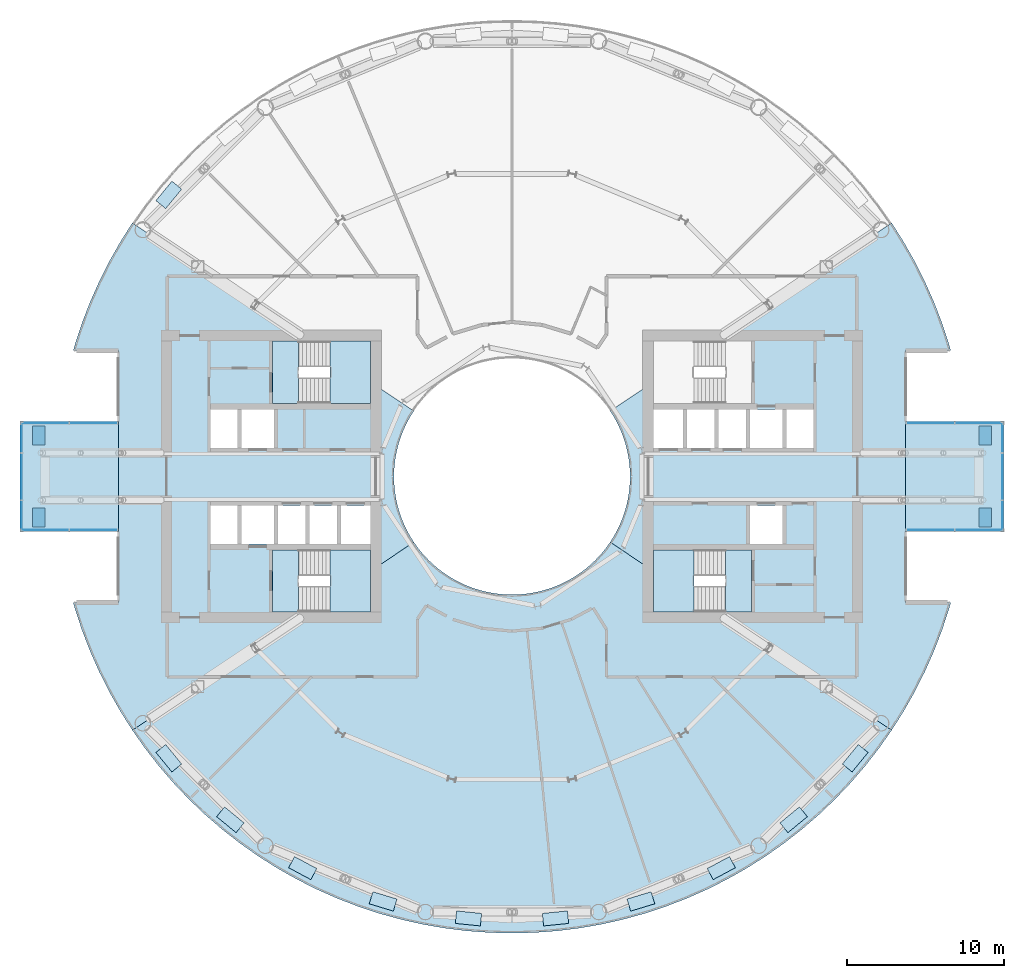
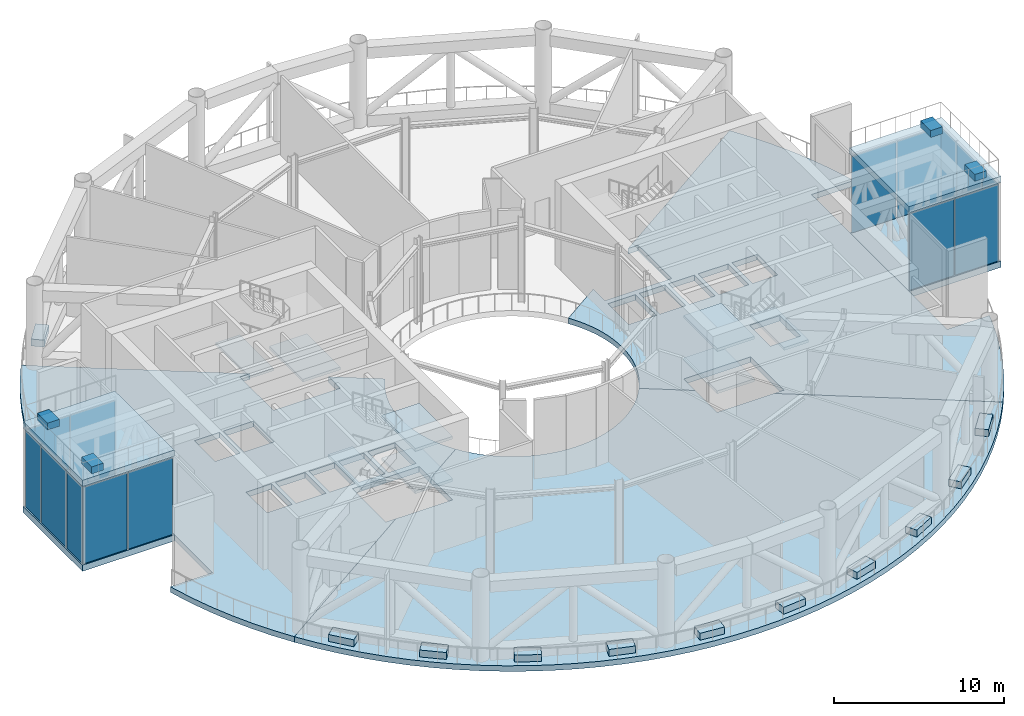
# One storey, part 10 of 23: 30 slabs, 14 plates, 9 elements without a shape of their own.
"""IFC4 building model written with IfcOpenShell, lengths in metres."""

from ifc_helpers import new_model, si_unit, direction, frame, origin, origin_2d, place, context, subcontext, project, spatial, polyline, rectangle, outline, extrude, material, layer, layer_set, type_object, element, aggregate, save


model = new_model("IFC4")

# Units and contexts
model_context = context("Model", 3, precision=1e-05, world=origin(), true_north=direction((0.0, 1.0)))
body_context = subcontext(model_context, "Body", "Model", "MODEL_VIEW")
ifc_project = project(units=[si_unit("LENGTHUNIT", "METRE"), si_unit("AREAUNIT", "SQUARE_METRE"), si_unit("VOLUMEUNIT", "CUBIC_METRE"), si_unit("PLANEANGLEUNIT", "RADIAN"), si_unit("MASSUNIT", "GRAM", prefix="KILO")], contexts=[model_context])

# Site, building, storey
site_placement = place(None, origin())
site = spatial("IfcSite", under=ifc_project, at=site_placement, CompositionType="ELEMENT")
building_placement = place(site_placement, origin())
building = spatial("IfcBuilding", under=site, at=building_placement, Name="Maasbend Ring Residences", CompositionType="ELEMENT")
storey_placement = place(building_placement, frame((0.0, 0.0, 97.14990234375)))
storey = spatial("IfcBuildingStorey", under=building, at=storey_placement, Name="L28", CompositionType="ELEMENT", Elevation=97.14990234375)

# Stair, slabs
ifc_material_1 = material(Name="Concrete C40/50", Category="concrete")
stair_type = type_object("IfcStairType", Name="CORE STAIR 36 RISERS", PredefinedType="HALF_TURN_STAIR", material=ifc_material_1)
stair_1_placement = place(storey_placement, origin())
stair_1 = element("IfcStair", 1, at=stair_1_placement, inside=storey, type_object=stair_type, Name="L28 Exit stair ST-E2", PredefinedType="HALF_TURN_STAIR")
ifc_material_2 = material(Name="Concrete C40/50", Category="concrete")
ifc_layer_1 = layer(ifc_material_2, 0.199951171875)
ifc_layer_set_1 = layer_set([ifc_layer_1], Name="Concrete C40/50")
slab_type_1 = type_object("IfcSlabType", Name="CORE STAIR LANDING 200", PredefinedType="LANDING", material=ifc_layer_set_1)
slab_1_placement = place(storey_placement, frame((0.0, 0.0, 1.3251953125)))
slab_1 = element("IfcSlab", 2, at=slab_1_placement, type_object=slab_type_1, Name="ST-E2 landing 1", PredefinedType="LANDING", context=body_context, shape_type="SweptSolid", body=[
    extrude(outline(polyline([(11.550048828125, -4.64990234375), (9.0, -4.64990234375), (9.0, -8.60009765625), (11.550048828125, -8.60009765625), (11.550048828125, -4.64990234375)])), origin(), (0.0, 0.0, 1.0), 0.199951171875),
])
slab_2_placement = place(storey_placement, frame((0.0, 0.0, 2.85009765625)))
slab_2 = element("IfcSlab", 3, at=slab_2_placement, type_object=slab_type_1, Name="ST-E2 landing 2", PredefinedType="LANDING", context=body_context, shape_type="SweptSolid", body=[
    extrude(outline(polyline([(15.199951171875, -4.64990234375), (13.550048828125, -4.64990234375), (13.550048828125, -8.60009765625), (15.199951171875, -8.60009765625), (15.199951171875, -4.64990234375)])), origin(), (0.0, 0.0, 1.0), 0.199951171875),
])
slab_3_placement = place(storey_placement, frame((0.0, 0.0, 4.375)))
slab_3 = element("IfcSlab", 4, at=slab_3_placement, type_object=slab_type_1, Name="ST-E2 landing 3", PredefinedType="LANDING", context=body_context, shape_type="SweptSolid", body=[
    extrude(outline(polyline([(11.550048828125, -4.64990234375), (9.0, -4.64990234375), (9.0, -8.60009765625), (11.550048828125, -8.60009765625), (11.550048828125, -4.64990234375)])), origin(), (0.0, 0.0, 1.0), 0.2001953125),
])
aggregate(stair_1, [slab_1, slab_2, slab_3])

stair_2_placement = place(storey_placement, origin())
stair_2 = element("IfcStair", 5, at=stair_2_placement, inside=storey, type_object=stair_type, Name="L28 Exit stair ST-W1", PredefinedType="HALF_TURN_STAIR")
slab_4_placement = place(storey_placement, frame((0.0, 0.0, 1.3251953125)))
slab_4 = element("IfcSlab", 6, at=slab_4_placement, type_object=slab_type_1, Name="ST-W1 landing 1", PredefinedType="LANDING", context=body_context, shape_type="SweptSolid", body=[
    extrude(outline(polyline([(-11.550048828125, -8.60009765625), (-9.0, -8.60009765625), (-9.0, -4.64990234375), (-11.550048828125, -4.64990234375), (-11.550048828125, -8.60009765625)])), origin(), (0.0, 0.0, 1.0), 0.199951171875),
])
slab_5_placement = place(storey_placement, frame((0.0, 0.0, 2.85009765625)))
slab_5 = element("IfcSlab", 7, at=slab_5_placement, type_object=slab_type_1, Name="ST-W1 landing 2", PredefinedType="LANDING", context=body_context, shape_type="SweptSolid", body=[
    extrude(outline(polyline([(-15.199951171875, -8.60009765625), (-13.550048828125, -8.60009765625), (-13.550048828125, -4.64990234375), (-15.199951171875, -4.64990234375), (-15.199951171875, -8.60009765625)])), origin(), (0.0, 0.0, 1.0), 0.199951171875),
])
slab_6_placement = place(storey_placement, frame((0.0, 0.0, 4.375)))
slab_6 = element("IfcSlab", 8, at=slab_6_placement, type_object=slab_type_1, Name="ST-W1 landing 3", PredefinedType="LANDING", context=body_context, shape_type="SweptSolid", body=[
    extrude(outline(polyline([(-11.550048828125, -8.60009765625), (-9.0, -8.60009765625), (-9.0, -4.64990234375), (-11.550048828125, -4.64990234375), (-11.550048828125, -8.60009765625)])), origin(), (0.0, 0.0, 1.0), 0.2001953125),
])
aggregate(stair_2, [slab_4, slab_5, slab_6])

stair_3_placement = place(storey_placement, origin())
stair_3 = element("IfcStair", 9, at=stair_3_placement, inside=storey, type_object=stair_type, Name="L28 Exit stair ST-W2", PredefinedType="HALF_TURN_STAIR")
slab_7_placement = place(storey_placement, frame((0.0, 0.0, 1.3251953125)))
slab_7 = element("IfcSlab", 10, at=slab_7_placement, type_object=slab_type_1, Name="ST-W2 landing 1", PredefinedType="LANDING", context=body_context, shape_type="SweptSolid", body=[
    extrude(outline(polyline([(-11.550048828125, 4.64990234375), (-9.0, 4.64990234375), (-9.0, 8.60009765625), (-11.550048828125, 8.60009765625), (-11.550048828125, 4.64990234375)])), origin(), (0.0, 0.0, 1.0), 0.199951171875),
])
slab_8_placement = place(storey_placement, frame((0.0, 0.0, 2.85009765625)))
slab_8 = element("IfcSlab", 11, at=slab_8_placement, type_object=slab_type_1, Name="ST-W2 landing 2", PredefinedType="LANDING", context=body_context, shape_type="SweptSolid", body=[
    extrude(outline(polyline([(-15.199951171875, 4.64990234375), (-13.550048828125, 4.64990234375), (-13.550048828125, 8.60009765625), (-15.199951171875, 8.60009765625), (-15.199951171875, 4.64990234375)])), origin(), (0.0, 0.0, 1.0), 0.199951171875),
])
aggregate(stair_3, [slab_7, slab_8])

# Curtain wall, plates
ifc_material_3 = material(Name="Aluminium and clear glass", Category="aluminium")
ifc_layer_2 = layer(ifc_material_3, 0.199951171875)
ifc_layer_set_2 = layer_set([ifc_layer_2], Name="CW-GR")
curtain_wall_type = type_object("IfcCurtainWallType", Name="CW-GR", PredefinedType="NOTDEFINED", material=ifc_layer_set_2)
curtain_wall_1_placement = place(storey_placement, origin())
curtain_wall_1 = element("IfcCurtainWall", 12, at=curtain_wall_1_placement, inside=storey, type_object=curtain_wall_type, Name="Glass lounge curtain wall tip", PredefinedType="NOTDEFINED")
ifc_material_4 = material(Name="Glass clear laminated", Category="glass")
ifc_layer_3 = layer(ifc_material_4, 0.035888671875)
ifc_layer_set_3 = layer_set([ifc_layer_3], Name="CWP-GR")
plate_type = type_object("IfcPlateType", Name="CWP-GR", PredefinedType="CURTAIN_PANEL", material=ifc_layer_set_3)
plate_1_placement = place(storey_placement, frame((31.14990234375, -2.482421875, 0.0), z_axis=(0.0, 0.0, 1.0), x_axis=(0.0, 1.0, 0.0)))
plate_1 = element("IfcPlate", 13, at=plate_1_placement, type_object=plate_type, Name="Glass panel glass room", PredefinedType="CURTAIN_PANEL", context=body_context, shape_type="SweptSolid", body=[
    extrude(rectangle(XDim=1.89501953125, YDim=0.035888671875, at=origin_2d()), origin(), (0.0, 0.0, 1.0), 5.510009765625),
])
plate_2_placement = place(storey_placement, frame((31.14990234375, 0.0, 0.0), z_axis=(0.0, 0.0, 1.0), x_axis=(0.0, 1.0, 0.0)))
plate_2 = element("IfcPlate", 14, at=plate_2_placement, type_object=plate_type, Name="Glass panel glass room", PredefinedType="CURTAIN_PANEL", context=body_context, shape_type="SweptSolid", body=[
    extrude(rectangle(XDim=2.929931640625, YDim=0.035888671875, at=origin_2d()), origin(), (0.0, 0.0, 1.0), 5.510009765625),
])
plate_3_placement = place(storey_placement, frame((31.14990234375, 2.482421875, 0.0), z_axis=(0.0, 0.0, 1.0), x_axis=(0.0, 1.0, 0.0)))
plate_3 = element("IfcPlate", 15, at=plate_3_placement, type_object=plate_type, Name="Glass panel glass room", PredefinedType="CURTAIN_PANEL", context=body_context, shape_type="SweptSolid", body=[
    extrude(rectangle(XDim=1.89501953125, YDim=0.035888671875, at=origin_2d()), origin(), (0.0, 0.0, 1.0), 5.510009765625),
])
aggregate(curtain_wall_1, [plate_1, plate_2, plate_3])

curtain_wall_2_placement = place(storey_placement, origin())
curtain_wall_2 = element("IfcCurtainWall", 16, at=curtain_wall_2_placement, inside=storey, type_object=curtain_wall_type, Name="Glass lounge curtain wall south", PredefinedType="NOTDEFINED")
plate_4_placement = place(storey_placement, frame((26.580078125, -3.39990234375, 0.0), z_axis=(0.0, 0.0, 1.0), x_axis=(1.0, 0.0, 0.0)))
plate_4 = element("IfcPlate", 17, at=plate_4_placement, type_object=plate_type, Name="Glass panel glass room", PredefinedType="CURTAIN_PANEL", context=body_context, shape_type="SweptSolid", body=[
    extrude(rectangle(XDim=3.02001953125, YDim=0.035888671875, at=origin_2d()), origin(), (0.0, 0.0, 1.0), 5.510009765625),
])
plate_5_placement = place(storey_placement, frame((29.669921875, -3.39990234375, 0.0), z_axis=(0.0, 0.0, 1.0), x_axis=(1.0, 0.0, 0.0)))
plate_5 = element("IfcPlate", 18, at=plate_5_placement, type_object=plate_type, Name="Glass panel glass room", PredefinedType="CURTAIN_PANEL", context=body_context, shape_type="SweptSolid", body=[
    extrude(rectangle(XDim=3.02001953125, YDim=0.035888671875, at=origin_2d()), origin(), (0.0, 0.0, 1.0), 5.510009765625),
])
aggregate(curtain_wall_2, [plate_4, plate_5])

curtain_wall_3_placement = place(storey_placement, origin())
curtain_wall_3 = element("IfcCurtainWall", 19, at=curtain_wall_3_placement, inside=storey, type_object=curtain_wall_type, Name="Glass lounge curtain wall north", PredefinedType="NOTDEFINED")
plate_6_placement = place(storey_placement, frame((26.580078125, 3.39990234375, 0.0), z_axis=(0.0, 0.0, 1.0), x_axis=(1.0, 0.0, 0.0)))
plate_6 = element("IfcPlate", 20, at=plate_6_placement, type_object=plate_type, Name="Glass panel glass room", PredefinedType="CURTAIN_PANEL", context=body_context, shape_type="SweptSolid", body=[
    extrude(rectangle(XDim=3.02001953125, YDim=0.035888671875, at=origin_2d()), origin(), (0.0, 0.0, 1.0), 5.510009765625),
])
plate_7_placement = place(storey_placement, frame((29.669921875, 3.39990234375, 0.0), z_axis=(0.0, 0.0, 1.0), x_axis=(1.0, 0.0, 0.0)))
plate_7 = element("IfcPlate", 21, at=plate_7_placement, type_object=plate_type, Name="Glass panel glass room", PredefinedType="CURTAIN_PANEL", context=body_context, shape_type="SweptSolid", body=[
    extrude(rectangle(XDim=3.02001953125, YDim=0.035888671875, at=origin_2d()), origin(), (0.0, 0.0, 1.0), 5.510009765625),
])
aggregate(curtain_wall_3, [plate_6, plate_7])

curtain_wall_4_placement = place(storey_placement, origin())
curtain_wall_4 = element("IfcCurtainWall", 22, at=curtain_wall_4_placement, inside=storey, type_object=curtain_wall_type, Name="Glass lounge curtain wall tip", PredefinedType="NOTDEFINED")
plate_8_placement = place(storey_placement, frame((-31.14990234375, -2.482421875, 0.0), z_axis=(0.0, 0.0, 1.0), x_axis=(0.0, 1.0, 0.0)))
plate_8 = element("IfcPlate", 23, at=plate_8_placement, type_object=plate_type, Name="Glass panel glass room", PredefinedType="CURTAIN_PANEL", context=body_context, shape_type="SweptSolid", body=[
    extrude(rectangle(XDim=1.89501953125, YDim=0.035888671875, at=origin_2d()), origin(), (0.0, 0.0, 1.0), 5.510009765625),
])
plate_9_placement = place(storey_placement, frame((-31.14990234375, 0.0, 0.0), z_axis=(0.0, 0.0, 1.0), x_axis=(0.0, 1.0, 0.0)))
plate_9 = element("IfcPlate", 24, at=plate_9_placement, type_object=plate_type, Name="Glass panel glass room", PredefinedType="CURTAIN_PANEL", context=body_context, shape_type="SweptSolid", body=[
    extrude(rectangle(XDim=2.929931640625, YDim=0.035888671875, at=origin_2d()), origin(), (0.0, 0.0, 1.0), 5.510009765625),
])
plate_10_placement = place(storey_placement, frame((-31.14990234375, 2.482421875, 0.0), z_axis=(0.0, 0.0, 1.0), x_axis=(0.0, 1.0, 0.0)))
plate_10 = element("IfcPlate", 25, at=plate_10_placement, type_object=plate_type, Name="Glass panel glass room", PredefinedType="CURTAIN_PANEL", context=body_context, shape_type="SweptSolid", body=[
    extrude(rectangle(XDim=1.89501953125, YDim=0.035888671875, at=origin_2d()), origin(), (0.0, 0.0, 1.0), 5.510009765625),
])
aggregate(curtain_wall_4, [plate_8, plate_9, plate_10])

curtain_wall_5_placement = place(storey_placement, origin())
curtain_wall_5 = element("IfcCurtainWall", 26, at=curtain_wall_5_placement, inside=storey, type_object=curtain_wall_type, Name="Glass lounge curtain wall south", PredefinedType="NOTDEFINED")
plate_11_placement = place(storey_placement, frame((-26.580078125, -3.39990234375, 0.0), z_axis=(0.0, 0.0, 1.0), x_axis=(-1.0, 0.0, 0.0)))
plate_11 = element("IfcPlate", 27, at=plate_11_placement, type_object=plate_type, Name="Glass panel glass room", PredefinedType="CURTAIN_PANEL", context=body_context, shape_type="SweptSolid", body=[
    extrude(rectangle(XDim=3.02001953125, YDim=0.035888671875, at=origin_2d()), origin(), (0.0, 0.0, 1.0), 5.510009765625),
])
plate_12_placement = place(storey_placement, frame((-29.669921875, -3.39990234375, 0.0), z_axis=(0.0, 0.0, 1.0), x_axis=(-1.0, 0.0, 0.0)))
plate_12 = element("IfcPlate", 28, at=plate_12_placement, type_object=plate_type, Name="Glass panel glass room", PredefinedType="CURTAIN_PANEL", context=body_context, shape_type="SweptSolid", body=[
    extrude(rectangle(XDim=3.02001953125, YDim=0.035888671875, at=origin_2d()), origin(), (0.0, 0.0, 1.0), 5.510009765625),
])
aggregate(curtain_wall_5, [plate_11, plate_12])

curtain_wall_6_placement = place(storey_placement, origin())
curtain_wall_6 = element("IfcCurtainWall", 29, at=curtain_wall_6_placement, inside=storey, type_object=curtain_wall_type, Name="Glass lounge curtain wall north", PredefinedType="NOTDEFINED")
plate_13_placement = place(storey_placement, frame((-26.580078125, 3.39990234375, 0.0), z_axis=(0.0, 0.0, 1.0), x_axis=(-1.0, 0.0, 0.0)))
plate_13 = element("IfcPlate", 30, at=plate_13_placement, type_object=plate_type, Name="Glass panel glass room", PredefinedType="CURTAIN_PANEL", context=body_context, shape_type="SweptSolid", body=[
    extrude(rectangle(XDim=3.02001953125, YDim=0.035888671875, at=origin_2d()), origin(), (0.0, 0.0, 1.0), 5.510009765625),
])
plate_14_placement = place(storey_placement, frame((-29.669921875, 3.39990234375, 0.0), z_axis=(0.0, 0.0, 1.0), x_axis=(-1.0, 0.0, 0.0)))
plate_14 = element("IfcPlate", 31, at=plate_14_placement, type_object=plate_type, Name="Glass panel glass room", PredefinedType="CURTAIN_PANEL", context=body_context, shape_type="SweptSolid", body=[
    extrude(rectangle(XDim=3.02001953125, YDim=0.035888671875, at=origin_2d()), origin(), (0.0, 0.0, 1.0), 5.510009765625),
])
aggregate(curtain_wall_6, [plate_13, plate_14])

# Slabs
ifc_material_5 = material(Name="Lawn and planting")
ifc_layer_4 = layer(ifc_material_5, 0.5)
ifc_layer_set_4 = layer_set([ifc_layer_4], Name="PLANTER-GD")
slab_type_2 = type_object("IfcSlabType", Name="PLANTER-GD", PredefinedType="USERDEFINED", material=ifc_layer_set_4)
slab_9_placement = place(storey_placement, origin())
element("IfcSlab", 32, at=slab_9_placement, inside=storey, type_object=slab_type_2, Name="Garden planter 10", ObjectType="PLANTER", PredefinedType="USERDEFINED", context=body_context, shape_type="SweptSolid", body=[
    extrude(outline(polyline([(-21.60107421875, 18.761962890625), (-22.615966796875, 17.52490234375), (-21.9970703125, 17.01806640625), (-20.98193359375, 18.2548828125), (-21.60107421875, 18.761962890625)])), origin(), (0.0, 0.0, 1.0), 0.5),
])
slab_10_placement = place(storey_placement, origin())
element("IfcSlab", 33, at=slab_10_placement, inside=storey, type_object=slab_type_2, Name="Garden planter 11", ObjectType="PLANTER", PredefinedType="USERDEFINED", context=body_context, shape_type="SweptSolid", body=[
    extrude(outline(polyline([(-22.615966796875, -17.52490234375), (-21.60107421875, -18.761962890625), (-20.98193359375, -18.2548828125), (-21.9970703125, -17.01806640625), (-22.615966796875, -17.52490234375)])), origin(), (0.0, 0.0, 1.0), 0.5),
])
slab_11_placement = place(storey_placement, origin())
element("IfcSlab", 34, at=slab_11_placement, inside=storey, type_object=slab_type_2, Name="Garden planter 12", ObjectType="PLANTER", PredefinedType="USERDEFINED", context=body_context, shape_type="SweptSolid", body=[
    extrude(outline(polyline([(-18.761962890625, -21.60107421875), (-17.52490234375, -22.615966796875), (-17.01806640625, -21.9970703125), (-18.2548828125, -20.98193359375), (-18.761962890625, -21.60107421875)])), origin(), (0.0, 0.0, 1.0), 0.5),
])
slab_12_placement = place(storey_placement, origin())
element("IfcSlab", 35, at=slab_12_placement, inside=storey, type_object=slab_type_2, Name="Garden planter 13", ObjectType="PLANTER", PredefinedType="USERDEFINED", context=body_context, shape_type="SweptSolid", body=[
    extrude(outline(polyline([(-14.18701171875, -24.845947265625), (-12.77587890625, -25.60009765625), (-12.39892578125, -24.89501953125), (-13.81005859375, -24.139892578125), (-14.18701171875, -24.845947265625)])), origin(), (0.0, 0.0, 1.0), 0.5),
])
slab_13_placement = place(storey_placement, origin())
element("IfcSlab", 36, at=slab_13_placement, inside=storey, type_object=slab_type_2, Name="Garden planter 14", ObjectType="PLANTER", PredefinedType="USERDEFINED", context=body_context, shape_type="SweptSolid", body=[
    extrude(outline(polyline([(-9.068115234375, -27.135986328125), (-7.537109375, -27.60107421875), (-7.303955078125, -26.8349609375), (-8.8349609375, -26.37109375), (-9.068115234375, -27.135986328125)])), origin(), (0.0, 0.0, 1.0), 0.5),
])
slab_14_placement = place(storey_placement, origin())
element("IfcSlab", 37, at=slab_14_placement, inside=storey, type_object=slab_type_2, Name="Garden planter 15", ObjectType="PLANTER", PredefinedType="USERDEFINED", context=body_context, shape_type="SweptSolid", body=[
    extrude(outline(polyline([(-3.59912109375, -28.384033203125), (-2.007080078125, -28.541015625), (-1.928955078125, -27.7451171875), (-3.52099609375, -27.587890625), (-3.59912109375, -28.384033203125)])), origin(), (0.0, 0.0, 1.0), 0.5),
])
slab_15_placement = place(storey_placement, origin())
element("IfcSlab", 38, at=slab_15_placement, inside=storey, type_object=slab_type_2, Name="Garden planter 16", ObjectType="PLANTER", PredefinedType="USERDEFINED", context=body_context, shape_type="SweptSolid", body=[
    extrude(outline(polyline([(2.007080078125, -28.541015625), (3.59912109375, -28.384033203125), (3.52099609375, -27.587890625), (1.928955078125, -27.7451171875), (2.007080078125, -28.541015625)])), origin(), (0.0, 0.0, 1.0), 0.5),
])
slab_16_placement = place(storey_placement, origin())
element("IfcSlab", 39, at=slab_16_placement, inside=storey, type_object=slab_type_2, Name="Garden planter 17", ObjectType="PLANTER", PredefinedType="USERDEFINED", context=body_context, shape_type="SweptSolid", body=[
    extrude(outline(polyline([(7.537109375, -27.60107421875), (9.068115234375, -27.135986328125), (8.8349609375, -26.37109375), (7.303955078125, -26.8349609375), (7.537109375, -27.60107421875)])), origin(), (0.0, 0.0, 1.0), 0.5),
])
slab_17_placement = place(storey_placement, origin())
element("IfcSlab", 40, at=slab_17_placement, inside=storey, type_object=slab_type_2, Name="Garden planter 18", ObjectType="PLANTER", PredefinedType="USERDEFINED", context=body_context, shape_type="SweptSolid", body=[
    extrude(outline(polyline([(12.77587890625, -25.60009765625), (14.18701171875, -24.845947265625), (13.81005859375, -24.139892578125), (12.39892578125, -24.89501953125), (12.77587890625, -25.60009765625)])), origin(), (0.0, 0.0, 1.0), 0.5),
])
slab_18_placement = place(storey_placement, origin())
element("IfcSlab", 41, at=slab_18_placement, inside=storey, type_object=slab_type_2, Name="Garden planter 19", ObjectType="PLANTER", PredefinedType="USERDEFINED", context=body_context, shape_type="SweptSolid", body=[
    extrude(outline(polyline([(17.52490234375, -22.615966796875), (18.761962890625, -21.60107421875), (18.2548828125, -20.98193359375), (17.01806640625, -21.9970703125), (17.52490234375, -22.615966796875)])), origin(), (0.0, 0.0, 1.0), 0.5),
])
slab_19_placement = place(storey_placement, origin())
element("IfcSlab", 42, at=slab_19_placement, inside=storey, type_object=slab_type_2, Name="Garden planter 20", ObjectType="PLANTER", PredefinedType="USERDEFINED", context=body_context, shape_type="SweptSolid", body=[
    extrude(outline(polyline([(21.60107421875, -18.761962890625), (22.615966796875, -17.52490234375), (21.9970703125, -17.01806640625), (20.98193359375, -18.2548828125), (21.60107421875, -18.761962890625)])), origin(), (0.0, 0.0, 1.0), 0.5),
])
slab_20_placement = place(storey_placement, frame((0.0, 0.0, 6.10009765625)))
element("IfcSlab", 43, at=slab_20_placement, inside=storey, type_object=slab_type_2, Name="Terrace planter 1", ObjectType="PLANTER", PredefinedType="USERDEFINED", context=body_context, shape_type="SweptSolid", body=[
    extrude(outline(polyline([(29.64990234375, -3.199951171875), (30.449951171875, -3.199951171875), (30.449951171875, -2.0), (29.64990234375, -2.0), (29.64990234375, -3.199951171875)])), origin(), (0.0, 0.0, 1.0), 0.5),
])
slab_21_placement = place(storey_placement, frame((0.0, 0.0, 6.10009765625)))
element("IfcSlab", 44, at=slab_21_placement, inside=storey, type_object=slab_type_2, Name="Terrace planter 2", ObjectType="PLANTER", PredefinedType="USERDEFINED", context=body_context, shape_type="SweptSolid", body=[
    extrude(outline(polyline([(29.64990234375, 2.0), (30.449951171875, 2.0), (30.449951171875, 3.199951171875), (29.64990234375, 3.199951171875), (29.64990234375, 2.0)])), origin(), (0.0, 0.0, 1.0), 0.5),
])
slab_22_placement = place(storey_placement, frame((0.0, 0.0, 6.10009765625)))
element("IfcSlab", 45, at=slab_22_placement, inside=storey, type_object=slab_type_2, Name="Terrace planter 1", ObjectType="PLANTER", PredefinedType="USERDEFINED", context=body_context, shape_type="SweptSolid", body=[
    extrude(outline(polyline([(-30.449951171875, -3.199951171875), (-29.64990234375, -3.199951171875), (-29.64990234375, -2.0), (-30.449951171875, -2.0), (-30.449951171875, -3.199951171875)])), origin(), (0.0, 0.0, 1.0), 0.5),
])
slab_23_placement = place(storey_placement, frame((0.0, 0.0, 6.10009765625)))
element("IfcSlab", 46, at=slab_23_placement, inside=storey, type_object=slab_type_2, Name="Terrace planter 2", ObjectType="PLANTER", PredefinedType="USERDEFINED", context=body_context, shape_type="SweptSolid", body=[
    extrude(outline(polyline([(-30.449951171875, 2.0), (-29.64990234375, 2.0), (-29.64990234375, 3.199951171875), (-30.449951171875, 3.199951171875), (-30.449951171875, 2.0)])), origin(), (0.0, 0.0, 1.0), 0.5),
])
ifc_material_6 = material(Name="Concrete C40/50", Category="concrete")
ifc_layer_5 = layer(ifc_material_6, 0.39990234375)
ifc_layer_set_5 = layer_set([ifc_layer_5], Name="Concrete C40/50")
slab_type_3 = type_object("IfcSlabType", Name="Post-tensioned flat plate 400", PredefinedType="FLOOR", material=ifc_layer_set_5)
slab_24_placement = place(storey_placement, frame((0.0, 0.0, -0.39990234375)))
element("IfcSlab", 47, at=slab_24_placement, inside=storey, type_object=slab_type_3, Name="Floor slab L28 sky garden", PredefinedType="FLOOR", context=body_context, shape_type="SweptSolid", body=[
    extrude(outline(polyline([(24.112548828125, -16.111572265625), (12.870849609375, -8.60009765625), (9.0, -8.60009765625), (9.0, -6.013671875), (6.236083984375, -4.166748046875), (6.024169921875, -4.4677734375), (5.797607421875, -4.7578125), (5.55712890625, -5.03662109375), (5.30322265625, -5.30322265625), (5.03662109375, -5.55712890625), (4.7578125, -5.797607421875), (4.4677734375, -6.024169921875), (4.166748046875, -6.236083984375), (3.855712890625, -6.43310546875), (3.535400390625, -6.614501953125), (3.206787109375, -6.77978515625), (2.8701171875, -6.92919921875), (2.526611328125, -7.0615234375), (2.177001953125, -7.177001953125), (1.822509765625, -7.275146484375), (1.463134765625, -7.35595703125), (1.1005859375, -7.418701171875), (0.735107421875, -7.4638671875), (0.367919921875, -7.490966796875), (0.0, -7.5), (-0.367919921875, -7.490966796875), (-0.735107421875, -7.4638671875), (-1.1005859375, -7.418701171875), (-1.463134765625, -7.35595703125), (-1.822509765625, -7.275146484375), (-2.177001953125, -7.177001953125), (-2.526611328125, -7.0615234375), (-2.8701171875, -6.92919921875), (-3.206787109375, -6.77978515625), (-3.535400390625, -6.614501953125), (-3.855712890625, -6.43310546875), (-4.166748046875, -6.236083984375), (-4.4677734375, -6.024169921875), (-4.7578125, -5.797607421875), (-5.03662109375, -5.55712890625), (-5.30322265625, -5.30322265625), (-5.55712890625, -5.03662109375), (-5.797607421875, -4.7578125), (-6.024169921875, -4.4677734375), (-6.236083984375, -4.166748046875), (-9.0, -6.013671875), (-9.0, -8.60009765625), (-12.870849609375, -8.60009765625), (-24.112548828125, -16.111572265625), (-23.29296875, -17.275390625), (-22.417236328125, -18.3974609375), (-21.487548828125, -19.47509765625), (-20.506103515625, -20.506103515625), (-19.47509765625, -21.487548828125), (-18.3974609375, -22.417236328125), (-17.275390625, -23.29296875), (-16.111572265625, -24.112548828125), (-14.908935546875, -24.8740234375), (-13.67041015625, -25.57568359375), (-12.399169921875, -26.2158203125), (-11.097900390625, -26.79248046875), (-9.769775390625, -27.3046875), (-8.418212890625, -27.751220703125), (-7.04638671875, -28.130859375), (-5.65771484375, -28.44287109375), (-4.255126953125, -28.68603515625), (-2.842529296875, -28.8603515625), (-1.423095703125, -28.965087890625), (0.0, -29.0), (1.423095703125, -28.965087890625), (2.842529296875, -28.8603515625), (4.255126953125, -28.68603515625), (5.65771484375, -28.44287109375), (7.04638671875, -28.130859375), (8.418212890625, -27.751220703125), (9.769775390625, -27.3046875), (11.097900390625, -26.79248046875), (12.399169921875, -26.2158203125), (13.67041015625, -25.57568359375), (14.908935546875, -24.8740234375), (16.111572265625, -24.112548828125), (17.275390625, -23.29296875), (18.3974609375, -22.417236328125), (19.47509765625, -21.487548828125), (20.506103515625, -20.506103515625), (21.487548828125, -19.47509765625), (22.417236328125, -18.3974609375), (23.29296875, -17.275390625), (24.112548828125, -16.111572265625)])), origin(), (0.0, 0.0, 1.0), 0.39990234375),
])
slab_25_placement = place(storey_placement, frame((0.0, 0.0, -0.39990234375)))
element("IfcSlab", 48, at=slab_25_placement, inside=storey, type_object=slab_type_3, Name="Floor slab L28 core zone", PredefinedType="FLOOR", context=body_context, shape_type="SweptSolid", body=[
    extrude(outline(polyline([(26.2158203125, -12.399169921875), (26.79248046875, -11.097900390625), (27.3046875, -9.769775390625), (27.751220703125, -8.418212890625), (27.866943359375, -8.0), (25.0, -8.0), (25.0, 8.0), (27.866943359375, 8.0), (27.751220703125, 8.418212890625), (27.3046875, 9.769775390625), (26.79248046875, 11.097900390625), (26.2158203125, 12.399169921875), (25.57568359375, 13.67041015625), (24.8740234375, 14.908935546875), (24.112548828125, 16.111572265625), (12.870849609375, 8.60009765625), (13.550048828125, 8.60009765625), (13.550048828125, 4.64990234375), (9.0, 4.64990234375), (9.0, 6.013671875), (6.236083984375, 4.166748046875), (6.43310546875, 3.855712890625), (6.614501953125, 3.535400390625), (6.77978515625, 3.206787109375), (6.92919921875, 2.8701171875), (7.0615234375, 2.526611328125), (7.177001953125, 2.177001953125), (7.275146484375, 1.822509765625), (7.35595703125, 1.463134765625), (7.418701171875, 1.1005859375), (7.4638671875, 0.735107421875), (7.490966796875, 0.367919921875), (7.5, 0.0), (7.490966796875, -0.367919921875), (7.4638671875, -0.735107421875), (7.418701171875, -1.1005859375), (7.35595703125, -1.463134765625), (7.275146484375, -1.822509765625), (7.177001953125, -2.177001953125), (7.0615234375, -2.526611328125), (6.92919921875, -2.8701171875), (6.77978515625, -3.206787109375), (6.614501953125, -3.535400390625), (6.43310546875, -3.855712890625), (6.236083984375, -4.166748046875), (9.0, -6.013671875), (9.0, -4.64990234375), (13.550048828125, -4.64990234375), (13.550048828125, -8.60009765625), (12.870849609375, -8.60009765625), (24.112548828125, -16.111572265625), (24.8740234375, -14.908935546875), (25.57568359375, -13.67041015625), (26.2158203125, -12.399169921875)]), holes=[polyline([(17.425048828125, 1.824951171875), (17.425048828125, 4.27490234375), (19.14990234375, 4.27490234375), (19.14990234375, 1.824951171875), (17.425048828125, 1.824951171875)]), polyline([(17.175048828125, -4.27490234375), (15.125, -4.27490234375), (15.125, -1.824951171875), (17.175048828125, -1.824951171875), (17.175048828125, -4.27490234375)]), polyline([(17.175048828125, 1.824951171875), (15.125, 1.824951171875), (15.125, 4.27490234375), (17.175048828125, 4.27490234375), (17.175048828125, 1.824951171875)]), polyline([(14.875, 1.824951171875), (13.125, 1.824951171875), (13.125, 4.27490234375), (14.875, 4.27490234375), (14.875, 1.824951171875)]), polyline([(12.875, 1.824951171875), (11.125, 1.824951171875), (11.125, 4.27490234375), (12.875, 4.27490234375), (12.875, 1.824951171875)]), polyline([(10.875, 1.824951171875), (9.0, 1.824951171875), (9.0, 4.27490234375), (10.875, 4.27490234375), (10.875, 1.824951171875)])]), origin(), (0.0, 0.0, 1.0), 0.39990234375),
])
slab_26_placement = place(storey_placement, frame((0.0, 0.0, -0.39990234375)))
element("IfcSlab", 49, at=slab_26_placement, inside=storey, type_object=slab_type_3, Name="Floor slab L28 core zone", PredefinedType="FLOOR", context=body_context, shape_type="SweptSolid", body=[
    extrude(outline(polyline([(-24.112548828125, -16.111572265625), (-12.870849609375, -8.60009765625), (-13.550048828125, -8.60009765625), (-13.550048828125, -4.64990234375), (-9.0, -4.64990234375), (-9.0, -6.013671875), (-6.236083984375, -4.166748046875), (-6.43310546875, -3.855712890625), (-6.614501953125, -3.535400390625), (-6.77978515625, -3.206787109375), (-6.92919921875, -2.8701171875), (-7.0615234375, -2.526611328125), (-7.177001953125, -2.177001953125), (-7.275146484375, -1.822509765625), (-7.35595703125, -1.463134765625), (-7.418701171875, -1.1005859375), (-7.4638671875, -0.735107421875), (-7.490966796875, -0.367919921875), (-7.5, 0.0), (-7.490966796875, 0.367919921875), (-7.4638671875, 0.735107421875), (-7.418701171875, 1.1005859375), (-7.35595703125, 1.463134765625), (-7.275146484375, 1.822509765625), (-7.177001953125, 2.177001953125), (-7.0615234375, 2.526611328125), (-6.92919921875, 2.8701171875), (-6.77978515625, 3.206787109375), (-6.614501953125, 3.535400390625), (-6.43310546875, 3.855712890625), (-6.236083984375, 4.166748046875), (-9.0, 6.013671875), (-9.0, 4.64990234375), (-13.550048828125, 4.64990234375), (-13.550048828125, 8.60009765625), (-12.870849609375, 8.60009765625), (-24.112548828125, 16.111572265625), (-24.112548828125, 16.111572265625), (-24.8740234375, 14.908935546875), (-25.57568359375, 13.67041015625), (-26.2158203125, 12.399169921875), (-26.79248046875, 11.097900390625), (-27.3046875, 9.769775390625), (-27.751220703125, 8.418212890625), (-27.866943359375, 8.0), (-25.0, 8.0), (-25.0, -8.0), (-27.866943359375, -8.0), (-27.751220703125, -8.418212890625), (-27.3046875, -9.769775390625), (-26.79248046875, -11.097900390625), (-26.2158203125, -12.399169921875), (-25.57568359375, -13.67041015625), (-24.8740234375, -14.908935546875), (-24.112548828125, -16.111572265625)]), holes=[polyline([(-10.875, -1.824951171875), (-9.0, -1.824951171875), (-9.0, -4.27490234375), (-10.875, -4.27490234375), (-10.875, -1.824951171875)]), polyline([(-12.875, -1.824951171875), (-11.125, -1.824951171875), (-11.125, -4.27490234375), (-12.875, -4.27490234375), (-12.875, -1.824951171875)]), polyline([(-14.875, -1.824951171875), (-13.125, -1.824951171875), (-13.125, -4.27490234375), (-14.875, -4.27490234375), (-14.875, -1.824951171875)]), polyline([(-17.175048828125, -1.824951171875), (-15.125, -1.824951171875), (-15.125, -4.27490234375), (-17.175048828125, -4.27490234375), (-17.175048828125, -1.824951171875)]), polyline([(-17.175048828125, 4.27490234375), (-15.125, 4.27490234375), (-15.125, 1.824951171875), (-17.175048828125, 1.824951171875), (-17.175048828125, 4.27490234375)]), polyline([(-19.14990234375, -1.824951171875), (-17.425048828125, -1.824951171875), (-17.425048828125, -4.27490234375), (-19.14990234375, -4.27490234375), (-19.14990234375, -1.824951171875)]), polyline([(-19.14990234375, 4.27490234375), (-17.425048828125, 4.27490234375), (-17.425048828125, 1.824951171875), (-19.14990234375, 1.824951171875), (-19.14990234375, 4.27490234375)])]), origin(), (0.0, 0.0, 1.0), 0.39990234375),
])
ifc_material_7 = material(Name="Concrete C40/50", Category="concrete")
ifc_layer_6 = layer(ifc_material_7, 0.449951171875)
ifc_layer_set_6 = layer_set([ifc_layer_6], Name="Concrete C40/50")
slab_type_4 = type_object("IfcSlabType", Name="SL-ROOM", PredefinedType="FLOOR", material=ifc_layer_set_6)
slab_27_placement = place(storey_placement, frame((0.0, 0.0, -0.449951171875)))
element("IfcSlab", 50, at=slab_27_placement, inside=storey, type_object=slab_type_4, Name="Glass lounge floor", PredefinedType="FLOOR", context=body_context, shape_type="SweptSolid", body=[
    extrude(outline(polyline([(25.0, -3.5), (31.25, -3.5), (31.25, 3.5), (25.0, 3.5), (25.0, -3.5)])), origin(), (0.0, 0.0, 1.0), 0.449951171875),
])
slab_28_placement = place(storey_placement, frame((0.0, 0.0, -0.449951171875)))
element("IfcSlab", 51, at=slab_28_placement, inside=storey, type_object=slab_type_4, Name="Glass lounge floor", PredefinedType="FLOOR", context=body_context, shape_type="SweptSolid", body=[
    extrude(outline(polyline([(-31.25, -3.5), (-25.0, -3.5), (-25.0, 3.5), (-31.25, 3.5), (-31.25, -3.5)])), origin(), (0.0, 0.0, 1.0), 0.449951171875),
])
ifc_material_8 = material(Name="Concrete C40/50", Category="concrete")
ifc_layer_7 = layer(ifc_material_8, 0.449951171875)
ifc_layer_set_7 = layer_set([ifc_layer_7], Name="Concrete C40/50")
slab_type_5 = type_object("IfcSlabType", Name="SL-TERRACE", PredefinedType="ROOF", material=ifc_layer_set_7)
slab_29_placement = place(storey_placement, frame((0.0, 0.0, 5.650146484375)))
element("IfcSlab", 52, at=slab_29_placement, inside=storey, type_object=slab_type_5, Name="Glass lounge roof terrace", PredefinedType="ROOF", context=body_context, shape_type="SweptSolid", body=[
    extrude(outline(polyline([(25.0, -3.5), (31.25, -3.5), (31.25, 3.5), (25.0, 3.5), (25.0, -3.5)])), origin(), (0.0, 0.0, 1.0), 0.449951171875),
])
slab_30_placement = place(storey_placement, frame((0.0, 0.0, 5.650146484375)))
element("IfcSlab", 53, at=slab_30_placement, inside=storey, type_object=slab_type_5, Name="Glass lounge roof terrace", PredefinedType="ROOF", context=body_context, shape_type="SweptSolid", body=[
    extrude(outline(polyline([(-31.25, -3.5), (-25.0, -3.5), (-25.0, 3.5), (-31.25, 3.5), (-31.25, -3.5)])), origin(), (0.0, 0.0, 1.0), 0.449951171875),
])

save(model, "model.ifc")
